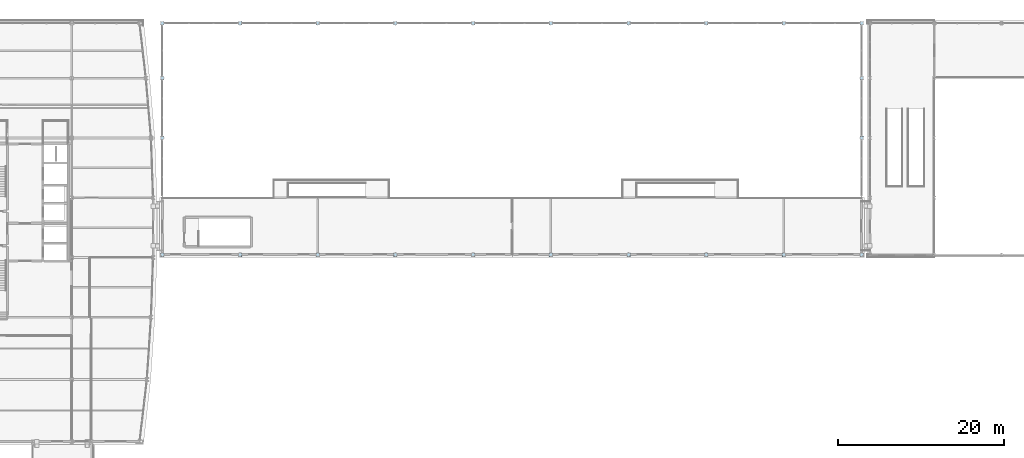
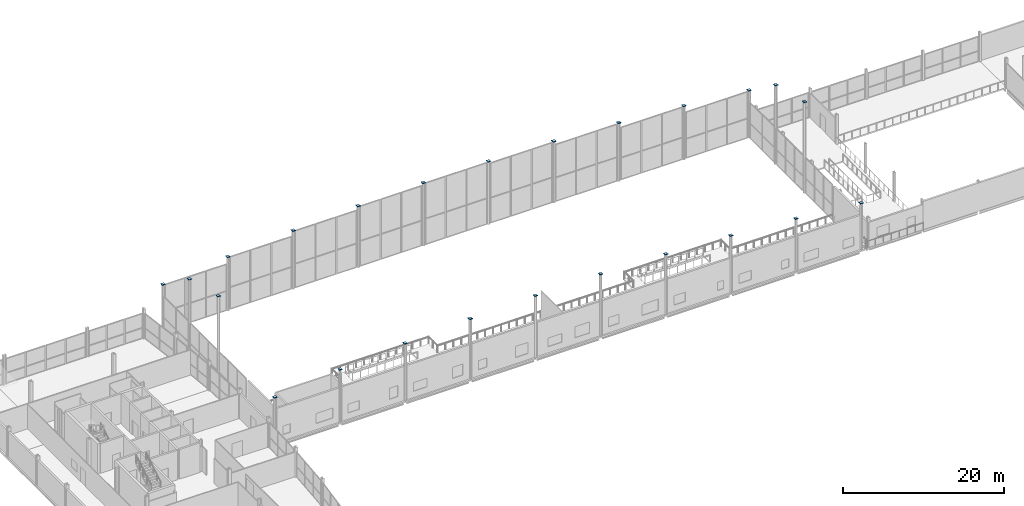
# One storey, part 60 of 77: 24 plates.
"""IFC4 building model written with IfcOpenShell, lengths in metres."""

from ifc_helpers import new_model, si_unit, direction, frame, origin, origin_2d, place, context, subcontext, project, spatial, rectangle, extrude, material, layer, layer_set, type_object, element, save


model = new_model("IFC4")

# Units and contexts
model_context = context("Model", 3, precision=1e-05, world=origin(), true_north=direction((0.0, 1.0)))
body_context = subcontext(model_context, "Body", "Model", "MODEL_VIEW")
ifc_project = project(units=[si_unit("LENGTHUNIT", "METRE"), si_unit("AREAUNIT", "SQUARE_METRE"), si_unit("VOLUMEUNIT", "CUBIC_METRE"), si_unit("PLANEANGLEUNIT", "RADIAN"), si_unit("MASSUNIT", "GRAM", prefix="KILO")], contexts=[model_context])

# Site, building, storey
site_placement = place(None, origin())
site = spatial("IfcSite", under=ifc_project, at=site_placement, CompositionType="ELEMENT")
building_placement = place(site_placement, origin())
building = spatial("IfcBuilding", under=site, at=building_placement, Name="Quillay Park Conservatory", CompositionType="ELEMENT")
storey_placement = place(building_placement, frame((0.0, 0.0, 5.39990234375)))
storey = spatial("IfcBuildingStorey", under=building, at=storey_placement, Name="L01", CompositionType="ELEMENT", Elevation=5.39990234375)

# Plates
ifc_material = material(Name="Steel S355J2H", Category="steel")
ifc_layer = layer(ifc_material, 0.02392578125)
ifc_layer_set = layer_set([ifc_layer], Name="HOLLOW END CAP PLATE 420 (Steel S355J2H)")
plate_type = type_object("IfcPlateType", Name="HOLLOW END CAP PLATE 420", PredefinedType="USERDEFINED", material=ifc_layer_set)
for number, where, z_axis, x_axis, name in (
    (1, (30.64990234375, 85.550048828125, 6.94921875), (0.0, 0.0, 1.0), (1.0, 0.0, 0.0), "Hollow steel end cap ECP-0003"),
    (2, (30.64990234375, 113.39990234375, 7.1875), (0.0, 0.0, 1.0), (1.0, 0.0, 0.0), "Hollow steel end cap ECP-0006"),
    (3, (40.005615234375, 85.550048828125, 7.8828125), (0.0, 0.0, 1.0), (1.0, 0.0, 0.0), "Hollow steel end cap ECP-0009"),
    (4, (40.005615234375, 113.39990234375, 8.12109375), (0.0, 0.0, 1.0), (1.0, 0.0, 0.0), "Hollow steel end cap ECP-0012"),
    (5, (49.361083984375, 85.550048828125, 8.58203125), (0.0, 0.0, 1.0), (1.0, 0.0, 0.0), "Hollow steel end cap ECP-0015"),
    (6, (49.361083984375, 113.39990234375, 8.8203125), (0.0, 0.0, 1.0), (1.0, 0.0, 0.0), "Hollow steel end cap ECP-0018"),
    (7, (58.716796875, 85.550048828125, 9.046875), (0.0, 0.0, 1.0), (1.0, 0.0, 0.0), "Hollow steel end cap ECP-0021"),
    (8, (58.716796875, 113.39990234375, 9.28515625), (0.0, 0.0, 1.0), (1.0, 0.0, 0.0), "Hollow steel end cap ECP-0024"),
    (9, (68.072265625, 85.550048828125, 9.28125), (0.0, 0.0, 1.0), (1.0, 0.0, 0.0), "Hollow steel end cap ECP-0027"),
    (10, (68.072265625, 113.39990234375, 9.51953125), (0.0, 0.0, 1.0), (1.0, 0.0, 0.0), "Hollow steel end cap ECP-0030"),
    (11, (77.427734375, 85.550048828125, 9.28125), (0.0, 0.0, 1.0), (1.0, 0.0, 0.0), "Hollow steel end cap ECP-0033"),
    (12, (77.427734375, 113.39990234375, 9.51953125), (0.0, 0.0, 1.0), (1.0, 0.0, 0.0), "Hollow steel end cap ECP-0036"),
    (13, (86.783203125, 85.550048828125, 9.046875), (0.0, 0.0, 1.0), (1.0, 0.0, 0.0), "Hollow steel end cap ECP-0039"),
    (14, (86.783203125, 113.39990234375, 9.28515625), (0.0, 0.0, 1.0), (1.0, 0.0, 0.0), "Hollow steel end cap ECP-0042"),
    (15, (96.138916015625, 85.550048828125, 8.58203125), (0.0, 0.0, 1.0), (1.0, 0.0, 0.0), "Hollow steel end cap ECP-0045"),
    (16, (96.138916015625, 113.39990234375, 8.8203125), (0.0, 0.0, 1.0), (1.0, 0.0, 0.0), "Hollow steel end cap ECP-0048"),
    (17, (105.494384765625, 85.550048828125, 7.8828125), (0.0, 0.0, 1.0), (1.0, 0.0, 0.0), "Hollow steel end cap ECP-0051"),
    (18, (105.494384765625, 113.39990234375, 8.12109375), (0.0, 0.0, 1.0), (1.0, 0.0, 0.0), "Hollow steel end cap ECP-0054"),
    (19, (114.85009765625, 85.550048828125, 6.94921875), (0.0, 0.0, 1.0), (1.0, 0.0, 0.0), "Hollow steel end cap ECP-0057"),
    (20, (114.85009765625, 113.39990234375, 7.1875), (0.0, 0.0, 1.0), (1.0, 0.0, 0.0), "Hollow steel end cap ECP-0060"),
    (21, (30.64990234375, 99.60009765625, 13.80078125), (0.0, 0.0, 1.0), (1.0, 0.0, 0.0), "Hollow steel end cap ECP-0063"),
    (22, (30.64990234375, 106.800048828125, 12.0), (0.0, 0.0, 1.0), (1.0, 0.0, 0.0), "Hollow steel end cap ECP-0066"),
    (23, (114.85009765625, 99.60009765625, 13.80078125), (0.0, 0.0, 1.0), (1.0, 0.0, 0.0), "Hollow steel end cap ECP-0069"),
    (24, (114.85009765625, 106.800048828125, 12.0), (0.0, 0.0, 1.0), (1.0, 0.0, 0.0), "Hollow steel end cap ECP-0072"),
):
    element("IfcPlate", number, at=place(storey_placement, frame(where, z_axis=z_axis, x_axis=x_axis)), inside=storey, type_object=plate_type, Name=name, ObjectType="FLANGE PLATE", PredefinedType="USERDEFINED", context=body_context, shape_type="SweptSolid", body=[
        extrude(rectangle(XDim=0.429931640625, YDim=0.429931640625, at=origin_2d()), origin(), (0.0, 0.0, 1.0), 0.055908203125),
    ])

save(model, "model.ifc")
